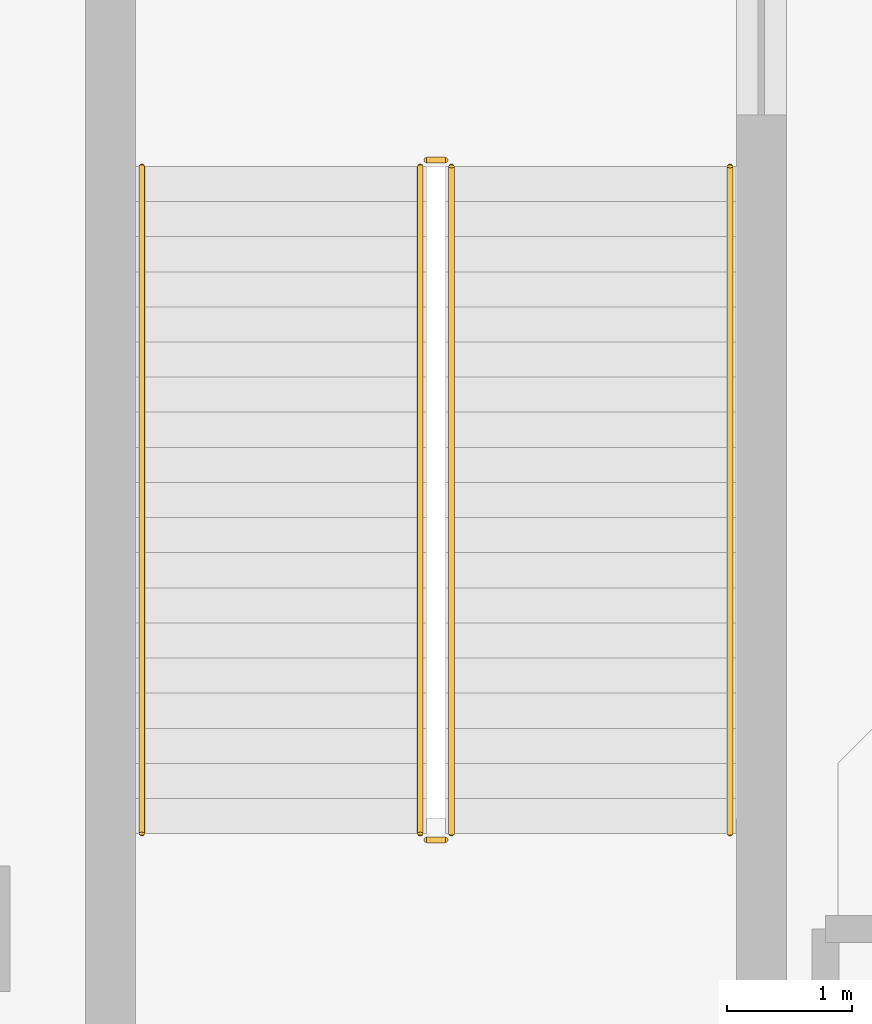
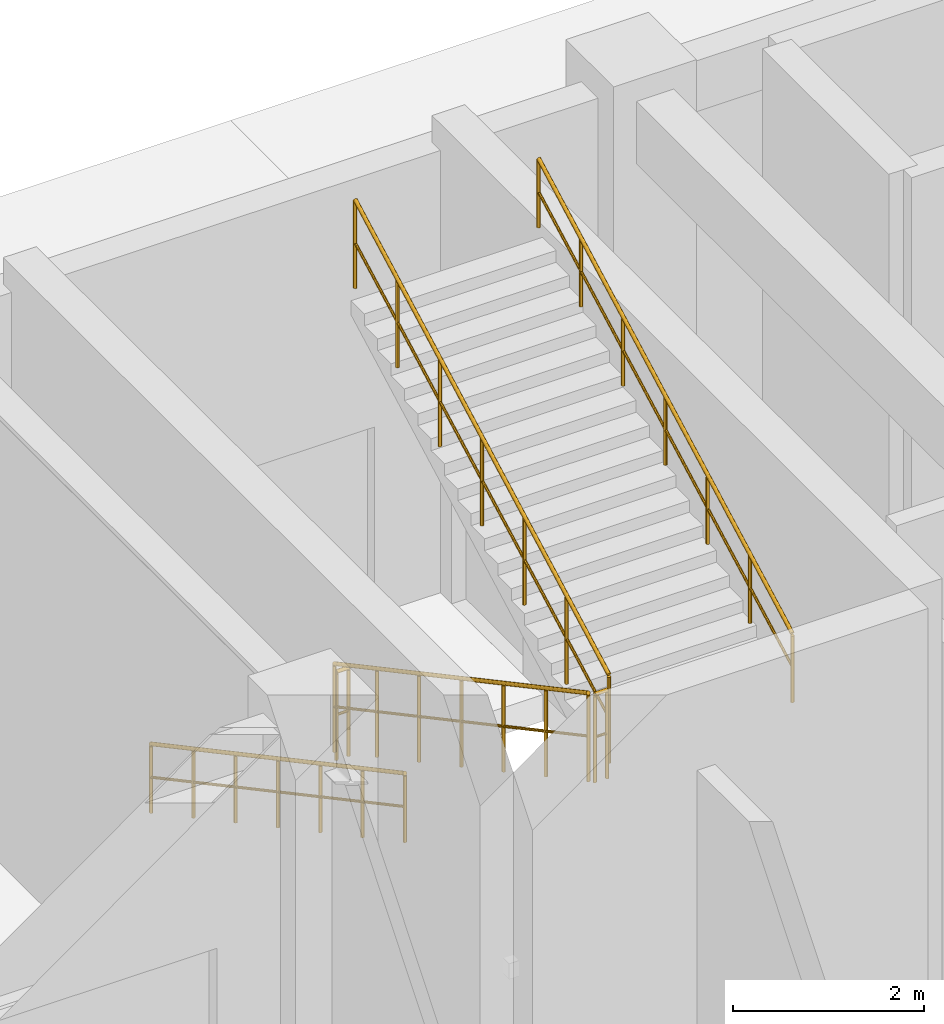
# One storey, part 78 of 82: 6 railings.
"""IFC4 building model written with IfcOpenShell, lengths in metres."""

from ifc_helpers import new_model, si_unit, derived_unit, direction, frame, origin, origin_2d, place, context, subcontext, project, spatial, circle, extrude, material, type_object, element, save


model = new_model("IFC4")

# Units and contexts
model_context = context("Model", 3, precision=1e-05, world=origin(), true_north=direction((0.0, 1.0)))
body_context = subcontext(model_context, "Body", "Model", "MODEL_VIEW")
ifc_project = project(units=[si_unit("LENGTHUNIT", "METRE"), si_unit("AREAUNIT", "SQUARE_METRE"), si_unit("VOLUMEUNIT", "CUBIC_METRE"), si_unit("PLANEANGLEUNIT", "RADIAN"), si_unit("MASSUNIT", "GRAM", prefix="KILO"), derived_unit("THERMALTRANSMITTANCEUNIT", [(si_unit("MASSUNIT", "GRAM", prefix="KILO"), 1), (si_unit("TIMEUNIT", "SECOND"), -3), (si_unit("THERMODYNAMICTEMPERATUREUNIT", "KELVIN"), -1)])], contexts=[model_context])

# Site, building, storey
site_placement = place(None, origin())
site = spatial("IfcSite", under=ifc_project, at=site_placement, CompositionType="ELEMENT")
building_placement = place(site_placement, origin())
building = spatial("IfcBuilding", under=site, at=building_placement, Name="Qinzheling Arcade Emporium", CompositionType="ELEMENT")
storey_placement = place(building_placement, origin())
storey = spatial("IfcBuildingStorey", under=building, at=storey_placement, Name="L01", CompositionType="ELEMENT", Elevation=0.0)

# Railings
ifc_material_1 = material(Name="Galvanised powder-coated tubular steel", Category="steel")
railing_type_1 = type_object("IfcRailingType", Name="Painted Steel Stairwell Guard Railing 1150", PredefinedType="GUARDRAIL", material=ifc_material_1)
railing_1_placement = place(storey_placement, frame((38.570068359375, 71.47998046875, 0.14990234375)))
element("IfcRailing", 1, at=railing_1_placement, inside=storey, type_object=railing_type_1, Name="L01 ST03 stair guard 1", PredefinedType="GUARDRAIL", context=body_context, shape_type="SweptSolid", body=[
    extrude(circle(Radius=0.02392578125, at=origin_2d()), frame((0.0, 0.0, 1.1259765625), z_axis=(0.0, -0.881475760486, 0.472229270245), x_axis=(1.0, 0.0, 0.0)), (0.0, 0.0, 1.0), 6.035400390625),
    extrude(circle(Radius=0.01611328125, at=origin_2d()), frame((0.0, 0.0, 0.574951171875), z_axis=(0.0, -0.881475760486, 0.472229270245), x_axis=(1.0, 0.0, 0.0)), (0.0, 0.0, 1.0), 6.035400390625),
    extrude(circle(Radius=0.02099609375, at=origin_2d()), origin(), (0.0, 0.0, 1.0), 1.101806640625),
    extrude(circle(Radius=0.02099609375, at=origin_2d()), frame((0.0, -0.88671875, 0.47509765625)), (0.0, 0.0, 1.0), 1.101806640625),
    extrude(circle(Radius=0.02099609375, at=origin_2d()), frame((0.0, -1.7734375, 0.949951171875)), (0.0, 0.0, 1.0), 1.101806640625),
    extrude(circle(Radius=0.02099609375, at=origin_2d()), frame((0.0, -2.66015625, 1.425048828125)), (0.0, 0.0, 1.0), 1.101806640625),
    extrude(circle(Radius=0.02099609375, at=origin_2d()), frame((0.0, -3.546630859375, 1.900146484375)), (0.0, 0.0, 1.0), 1.101806640625),
    extrude(circle(Radius=0.02099609375, at=origin_2d()), frame((0.0, -4.433349609375, 2.375)), (0.0, 0.0, 1.0), 1.101806640625),
    extrude(circle(Radius=0.02099609375, at=origin_2d()), frame((0.0, -5.320068359375, 2.85009765625)), (0.0, 0.0, 1.0), 1.101806640625),
])
railing_2_placement = place(storey_placement, frame((38.6201171875, 66.110107421875, 3.0)))
element("IfcRailing", 2, at=railing_2_placement, inside=storey, type_object=railing_type_1, Name="L01 ST03 stair guard 2", PredefinedType="GUARDRAIL", context=body_context, shape_type="SweptSolid", body=[
    extrude(circle(Radius=0.02392578125, at=origin_2d()), frame((0.0, 0.0, 1.1259765625), z_axis=(1.0, 0.0, 0.0), x_axis=(0.0, 1.0, 0.0)), (0.0, 0.0, 1.0), 0.14990234375),
    extrude(circle(Radius=0.01611328125, at=origin_2d()), frame((0.0, 0.0, 0.574951171875), z_axis=(1.0, 0.0, 0.0), x_axis=(0.0, 1.0, 0.0)), (0.0, 0.0, 1.0), 0.14990234375),
    extrude(circle(Radius=0.02099609375, at=origin_2d()), origin(), (0.0, 0.0, 1.0), 1.101806640625),
    extrude(circle(Radius=0.02099609375, at=origin_2d()), frame((0.14990234375, 0.0, 0.0)), (0.0, 0.0, 1.0), 1.101806640625),
])
railing_3_placement = place(storey_placement, frame((38.820068359375, 66.159912109375, 3.14990234375)))
element("IfcRailing", 3, at=railing_3_placement, inside=storey, type_object=railing_type_1, Name="L01 ST03 stair guard 3", PredefinedType="GUARDRAIL", context=body_context, shape_type="SweptSolid", body=[
    extrude(circle(Radius=0.02392578125, at=origin_2d()), frame((0.0, 0.0, 1.1259765625), z_axis=(0.0, 0.881475760486, 0.472229270245), x_axis=(-1.0, 0.0, 0.0)), (0.0, 0.0, 1.0), 6.035400390625),
    extrude(circle(Radius=0.01611328125, at=origin_2d()), frame((0.0, 0.0, 0.574951171875), z_axis=(0.0, 0.881475760486, 0.472229270245), x_axis=(-1.0, 0.0, 0.0)), (0.0, 0.0, 1.0), 6.035400390625),
    extrude(circle(Radius=0.02099609375, at=origin_2d()), origin(), (0.0, 0.0, 1.0), 1.101806640625),
    extrude(circle(Radius=0.02099609375, at=origin_2d()), frame((0.0, 0.88671875, 0.47509765625)), (0.0, 0.0, 1.0), 1.101806640625),
    extrude(circle(Radius=0.02099609375, at=origin_2d()), frame((0.0, 1.7734375, 0.949951171875)), (0.0, 0.0, 1.0), 1.101806640625),
    extrude(circle(Radius=0.02099609375, at=origin_2d()), frame((0.0, 2.66015625, 1.425048828125)), (0.0, 0.0, 1.0), 1.101806640625),
    extrude(circle(Radius=0.02099609375, at=origin_2d()), frame((0.0, 3.546630859375, 1.900146484375)), (0.0, 0.0, 1.0), 1.101806640625),
    extrude(circle(Radius=0.02099609375, at=origin_2d()), frame((0.0, 4.433349609375, 2.375)), (0.0, 0.0, 1.0), 1.101806640625),
    extrude(circle(Radius=0.02099609375, at=origin_2d()), frame((0.0, 5.320068359375, 2.85009765625)), (0.0, 0.0, 1.0), 1.101806640625),
])
railing_4_placement = place(storey_placement, frame((38.6201171875, 71.530029296875, 0.0)))
element("IfcRailing", 4, at=railing_4_placement, inside=storey, type_object=railing_type_1, Name="L01 ST03 stair guard 4", PredefinedType="GUARDRAIL", context=body_context, shape_type="SweptSolid", body=[
    extrude(circle(Radius=0.02392578125, at=origin_2d()), frame((0.0, 0.0, 1.1259765625), z_axis=(1.0, 0.0, 0.0), x_axis=(0.0, 1.0, 0.0)), (0.0, 0.0, 1.0), 0.14990234375),
    extrude(circle(Radius=0.01611328125, at=origin_2d()), frame((0.0, 0.0, 0.574951171875), z_axis=(1.0, 0.0, 0.0), x_axis=(0.0, 1.0, 0.0)), (0.0, 0.0, 1.0), 0.14990234375),
    extrude(circle(Radius=0.02099609375, at=origin_2d()), origin(), (0.0, 0.0, 1.0), 1.101806640625),
    extrude(circle(Radius=0.02099609375, at=origin_2d()), frame((0.14990234375, 0.0, 0.0)), (0.0, 0.0, 1.0), 1.101806640625),
])
ifc_material_2 = material(Name="Brushed stainless steel 304", Category="steel")
railing_type_2 = type_object("IfcRailingType", Name="Stainless Steel Wall Handrail 900", PredefinedType="HANDRAIL", material=ifc_material_2)
railing_5_placement = place(storey_placement, frame((36.35009765625, 71.47998046875, 0.14990234375)))
element("IfcRailing", 5, at=railing_5_placement, inside=storey, type_object=railing_type_2, Name="L01 ST03 stair handrail 1", PredefinedType="HANDRAIL", context=body_context, shape_type="SweptSolid", body=[
    extrude(circle(Radius=0.02392578125, at=origin_2d()), frame((0.0, 0.0, 0.8759765625), z_axis=(0.0, -0.881475760486, 0.472229270245), x_axis=(1.0, 0.0, 0.0)), (0.0, 0.0, 1.0), 6.035400390625),
    extrude(circle(Radius=0.01611328125, at=origin_2d()), frame((0.0, 0.0, 0.449951171875), z_axis=(0.0, -0.881475760486, 0.472229270245), x_axis=(1.0, 0.0, 0.0)), (0.0, 0.0, 1.0), 6.035400390625),
    extrude(circle(Radius=0.02099609375, at=origin_2d()), origin(), (0.0, 0.0, 1.0), 0.851806640625),
    extrude(circle(Radius=0.02099609375, at=origin_2d()), frame((0.0, -0.88671875, 0.47509765625)), (0.0, 0.0, 1.0), 0.851806640625),
    extrude(circle(Radius=0.02099609375, at=origin_2d()), frame((0.0, -1.7734375, 0.949951171875)), (0.0, 0.0, 1.0), 0.851806640625),
    extrude(circle(Radius=0.02099609375, at=origin_2d()), frame((0.0, -2.66015625, 1.425048828125)), (0.0, 0.0, 1.0), 0.851806640625),
    extrude(circle(Radius=0.02099609375, at=origin_2d()), frame((0.0, -3.546630859375, 1.900146484375)), (0.0, 0.0, 1.0), 0.851806640625),
    extrude(circle(Radius=0.02099609375, at=origin_2d()), frame((0.0, -4.433349609375, 2.375)), (0.0, 0.0, 1.0), 0.851806640625),
    extrude(circle(Radius=0.02099609375, at=origin_2d()), frame((0.0, -5.320068359375, 2.85009765625)), (0.0, 0.0, 1.0), 0.851806640625),
])
railing_6_placement = place(storey_placement, frame((41.0400390625, 66.159912109375, 3.14990234375)))
element("IfcRailing", 6, at=railing_6_placement, inside=storey, type_object=railing_type_2, Name="L01 ST03 stair handrail 2", PredefinedType="HANDRAIL", context=body_context, shape_type="SweptSolid", body=[
    extrude(circle(Radius=0.02392578125, at=origin_2d()), frame((0.0, 0.0, 0.8759765625), z_axis=(0.0, 0.881475760486, 0.472229270245), x_axis=(-1.0, 0.0, 0.0)), (0.0, 0.0, 1.0), 6.035400390625),
    extrude(circle(Radius=0.01611328125, at=origin_2d()), frame((0.0, 0.0, 0.449951171875), z_axis=(0.0, 0.881475760486, 0.472229270245), x_axis=(-1.0, 0.0, 0.0)), (0.0, 0.0, 1.0), 6.035400390625),
    extrude(circle(Radius=0.02099609375, at=origin_2d()), origin(), (0.0, 0.0, 1.0), 0.851806640625),
    extrude(circle(Radius=0.02099609375, at=origin_2d()), frame((0.0, 0.88671875, 0.47509765625)), (0.0, 0.0, 1.0), 0.851806640625),
    extrude(circle(Radius=0.02099609375, at=origin_2d()), frame((0.0, 1.7734375, 0.949951171875)), (0.0, 0.0, 1.0), 0.851806640625),
    extrude(circle(Radius=0.02099609375, at=origin_2d()), frame((0.0, 2.66015625, 1.425048828125)), (0.0, 0.0, 1.0), 0.851806640625),
    extrude(circle(Radius=0.02099609375, at=origin_2d()), frame((0.0, 3.546630859375, 1.900146484375)), (0.0, 0.0, 1.0), 0.851806640625),
    extrude(circle(Radius=0.02099609375, at=origin_2d()), frame((0.0, 4.433349609375, 2.375)), (0.0, 0.0, 1.0), 0.851806640625),
    extrude(circle(Radius=0.02099609375, at=origin_2d()), frame((0.0, 5.320068359375, 2.85009765625)), (0.0, 0.0, 1.0), 0.851806640625),
])

save(model, "model.ifc")
